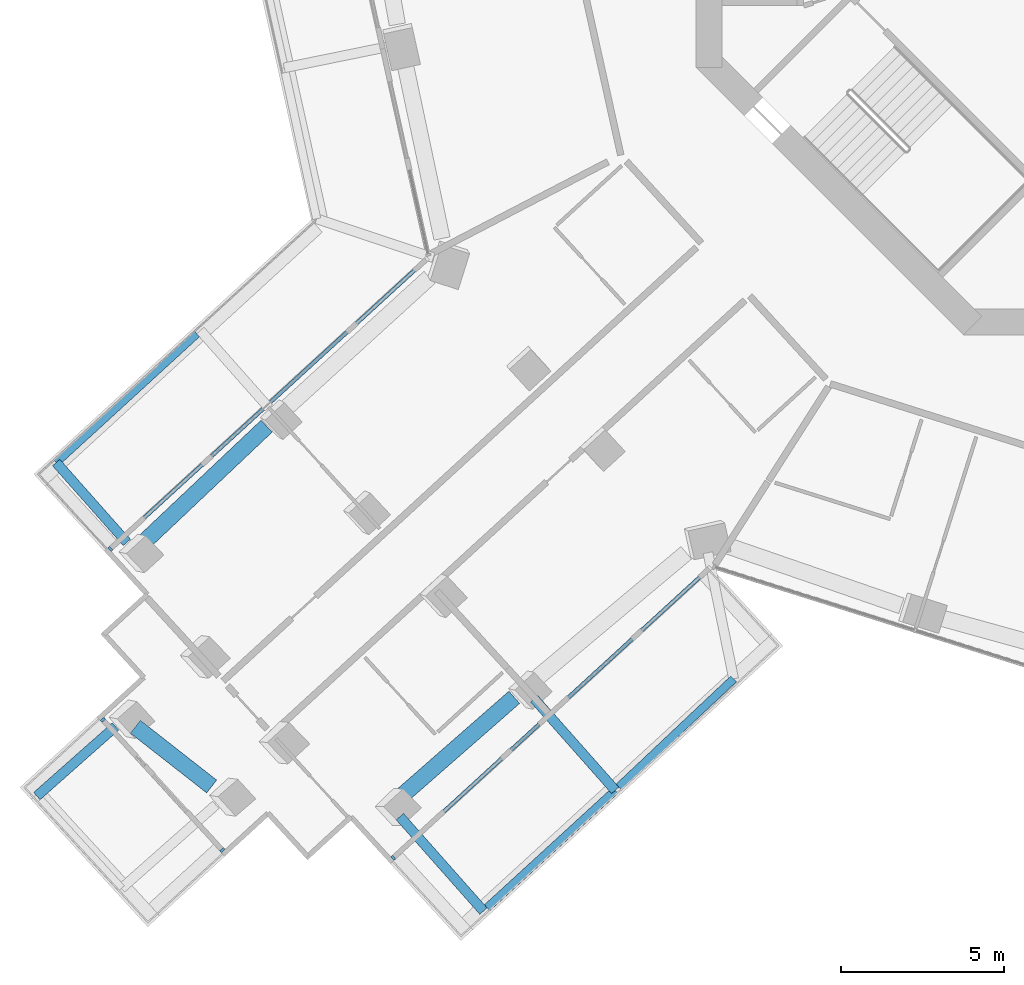
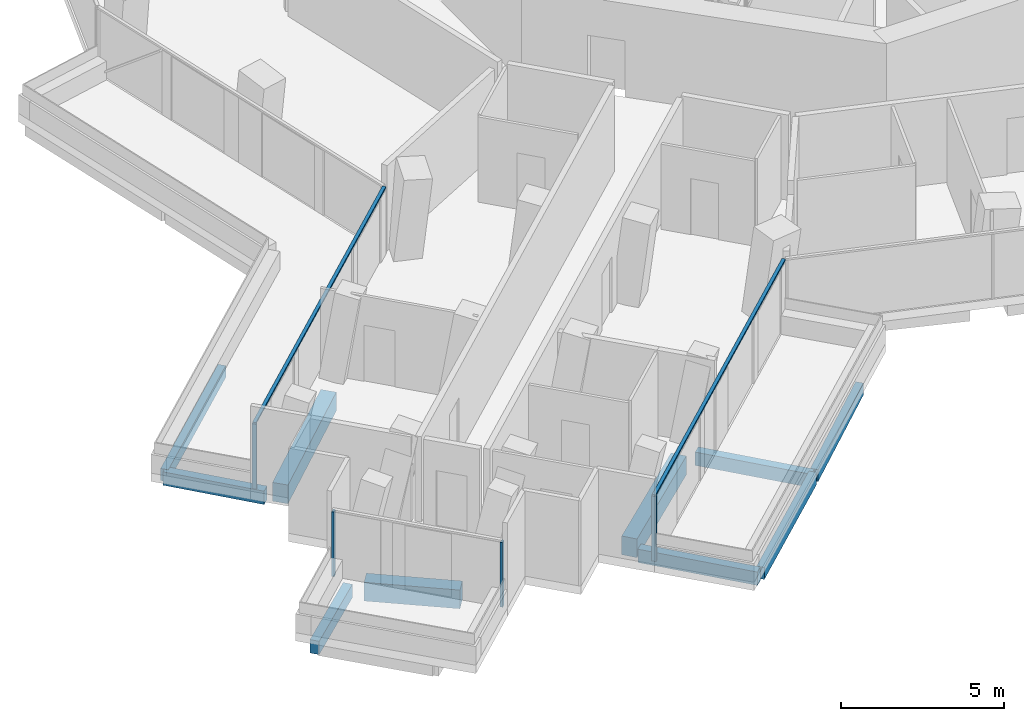
# One storey, part 2 of 24: 10 beams, 6 members, 3 elements without a shape of their own.
"""IFC4 building model written with IfcOpenShell, lengths in metres."""

from ifc_helpers import new_model, si_unit, direction, frame, origin, origin_2d, place, context, subcontext, project, spatial, rectangle, extrude, material, layer, layer_set, material_profile, profile_set, type_object, element, aggregate, save


model = new_model("IFC4")

# Units and contexts
model_context = context("Model", 3, precision=1e-05, world=origin(), true_north=direction((0.0, 1.0)))
body_context = subcontext(model_context, "Body", "Model", "MODEL_VIEW")
ifc_project = project(units=[si_unit("LENGTHUNIT", "METRE"), si_unit("AREAUNIT", "SQUARE_METRE"), si_unit("VOLUMEUNIT", "CUBIC_METRE"), si_unit("PLANEANGLEUNIT", "RADIAN"), si_unit("MASSUNIT", "GRAM", prefix="KILO")], contexts=[model_context])

# Site, building, storey
site_placement = place(None, origin())
site = spatial("IfcSite", under=ifc_project, at=site_placement, CompositionType="ELEMENT")
building_placement = place(site_placement, origin())
building = spatial("IfcBuilding", under=site, at=building_placement, Name="Verdalira Terraces Hotel", CompositionType="ELEMENT")
storey_placement = place(building_placement, frame((0.0, 0.0, 86.0)))
storey = spatial("IfcBuildingStorey", under=building, at=storey_placement, Name="L19", CompositionType="ELEMENT", Elevation=86.0)

# Beams
ifc_material_1 = material(Name="Concrete C40", Category="concrete")
ifc_material_profile_1 = material_profile(ifc_material_1, rectangle(XDim=0.300049, YDim=0.5, at=origin_2d()), Name="RC 300X500")
ifc_profile_set_1 = profile_set([ifc_material_profile_1], Name="Concrete C40")
beam_type_1 = type_object("IfcBeamType", Name="Balcony cantilever beam RC 300X500 C40", PredefinedType="BEAM", material=ifc_profile_set_1)
beam_1_placement = place(storey_placement, frame((-31.461426, -20.363281, -0.560059), z_axis=(-0.662857208, 0.748745832, 0.0), x_axis=(-0.748745832, -0.662857208, 0.0)))
element("IfcBeam", 1, at=beam_1_placement, inside=storey, type_object=beam_type_1, Name="Balcony cantilever beam R13-2", PredefinedType="BEAM", context=body_context, shape_type="SweptSolid", body=[
    extrude(rectangle(XDim=0.300049, YDim=0.5, at=origin_2d()), origin(), (0.0, 0.0, 1.0), 3.271729),
])
beam_2_placement = place(storey_placement, frame((-31.809814, -26.01001, -0.560059), z_axis=(-0.748728932, -0.662876298, 0.0), x_axis=(0.662876298, -0.748728932, 0.0)))
element("IfcBeam", 2, at=beam_2_placement, inside=storey, type_object=beam_type_1, Name="Balcony cantilever beam R19-1", PredefinedType="BEAM", context=body_context, shape_type="SweptSolid", body=[
    extrude(rectangle(XDim=0.300049, YDim=0.5, at=origin_2d()), origin(), (0.0, 0.0, 1.0), 3.221924),
])
beam_3_placement = place(storey_placement, frame((-23.08667, -28.775879, -0.560059), z_axis=(0.662862468, -0.748741176, 0.0), x_axis=(0.748741176, 0.662862468, 0.0)))
element("IfcBeam", 3, at=beam_3_placement, inside=storey, type_object=beam_type_1, Name="Balcony cantilever beam R24-1", PredefinedType="BEAM", context=body_context, shape_type="SweptSolid", body=[
    extrude(rectangle(XDim=0.300049, YDim=0.5, at=origin_2d()), origin(), (0.0, 0.0, 1.0), 3.869141),
])
beam_4_placement = place(storey_placement, frame((-18.966797, -25.160889, -0.560059), z_axis=(0.662868584, -0.748735761, 0.0), x_axis=(0.748735761, 0.662868584, 0.0)))
element("IfcBeam", 4, at=beam_4_placement, inside=storey, type_object=beam_type_1, Name="Balcony cantilever beam R24-2", PredefinedType="BEAM", context=body_context, shape_type="SweptSolid", body=[
    extrude(rectangle(XDim=0.300049, YDim=0.5, at=origin_2d()), origin(), (0.0, 0.0, 1.0), 3.753174),
])
ifc_material_2 = material(Name="Concrete C40", Category="concrete")
ifc_material_profile_2 = material_profile(ifc_material_2, rectangle(XDim=0.25, YDim=0.449951, at=origin_2d()), Name="RC 250X450")
ifc_profile_set_2 = profile_set([ifc_material_profile_2], Name="Concrete C40")
beam_type_2 = type_object("IfcBeamType", Name="Balcony edge beam RC 250X450 C40", PredefinedType="BEAM", material=ifc_profile_set_2)
beam_5_placement = place(storey_placement, frame((-29.316895, -13.964111, -0.534912), z_axis=(-0.737523126, -0.675321878, 0.0), x_axis=(0.675321878, -0.737523126, 0.0)))
element("IfcBeam", 5, at=beam_5_placement, inside=storey, type_object=beam_type_2, Name="Balcony edge beam R13-1", PredefinedType="BEAM", context=body_context, shape_type="SweptSolid", body=[
    extrude(rectangle(XDim=0.25, YDim=0.449951, at=origin_2d()), origin(), (0.0, 0.0, 1.0), 5.848389),
])
beam_6_placement = place(storey_placement, frame((-20.411377, -31.571533, -0.534912), z_axis=(0.737536065, 0.675307747, 0.0), x_axis=(-0.675307747, 0.737536065, 0.0)))
element("IfcBeam", 6, at=beam_6_placement, inside=storey, type_object=beam_type_2, Name="Balcony edge beam R24-1", PredefinedType="BEAM", context=body_context, shape_type="SweptSolid", body=[
    extrude(rectangle(XDim=0.25, YDim=0.449951, at=origin_2d()), origin(), (0.0, 0.0, 1.0), 5.331787),
])
beam_7_placement = place(storey_placement, frame((-16.369873, -27.86792, -0.534912), z_axis=(0.727731834, 0.685861778, 0.0), x_axis=(-0.685861778, 0.727731834, 0.0)))
element("IfcBeam", 7, at=beam_7_placement, inside=storey, type_object=beam_type_2, Name="Balcony edge beam R24-2", PredefinedType="BEAM", context=body_context, shape_type="SweptSolid", body=[
    extrude(rectangle(XDim=0.25, YDim=0.449951, at=origin_2d()), origin(), (0.0, 0.0, 1.0), 4.8396),
])

# Curtain wall, member
ifc_material_3 = material(Name="Clear glass", Category="glass")
ifc_layer_1 = layer(ifc_material_3, 0.14990234375)
ifc_layer_set_1 = layer_set([ifc_layer_1], Name="CW2 curtain wall")
curtain_wall_type_1 = type_object("IfcCurtainWallType", Name="CW2 curtain wall", PredefinedType="NOTDEFINED", material=ifc_layer_set_1)
curtain_wall_1_placement = place(storey_placement, origin())
curtain_wall_1 = element("IfcCurtainWall", 8, at=curtain_wall_1_placement, inside=storey, type_object=curtain_wall_type_1, Name="CW2 curtain wall L19 edge 14", PredefinedType="NOTDEFINED")
ifc_material_4 = material(Name="Terracotta frame", Category="masonry")
ifc_material_profile_3 = material_profile(ifc_material_4, rectangle(XDim=0.070068, YDim=0.149902, at=origin_2d()), Name="MU 70x150")
ifc_profile_set_3 = profile_set([ifc_material_profile_3], Name="Terracotta frame")
member_type_1 = type_object("IfcMemberType", Name="CW2 mullion 70x150", PredefinedType="MULLION", material=ifc_profile_set_3)
member_1_placement = place(storey_placement, frame((-31.967773, -20.560791, 0.0), z_axis=(0.0, 0.0, 1.0), x_axis=(-0.737513117, -0.675332808, 0.0)))
member_1 = element("IfcMember", 9, at=member_1_placement, type_object=member_type_1, Name="CW2 mullion", PredefinedType="MULLION", context=body_context, shape_type="SweptSolid", body=[
    extrude(rectangle(XDim=0.070068, YDim=0.149902, at=origin_2d()), origin(), (0.0, 0.0, 1.0), 2.425049),
])

curtain_wall_2_placement = place(storey_placement, origin())
curtain_wall_2 = element("IfcCurtainWall", 10, at=curtain_wall_2_placement, inside=storey, type_object=curtain_wall_type_1, Name="CW2 curtain wall L19 edge 24", PredefinedType="NOTDEFINED")
member_2_placement = place(storey_placement, frame((-23.289795, -30.037842, 0.0), z_axis=(0.0, 0.0, 1.0), x_axis=(0.737513117, 0.675332808, 0.0)))
member_2 = element("IfcMember", 11, at=member_2_placement, type_object=member_type_1, Name="CW2 mullion", PredefinedType="MULLION", context=body_context, shape_type="SweptSolid", body=[
    extrude(rectangle(XDim=0.070068, YDim=0.149902, at=origin_2d()), origin(), (0.0, 0.0, 1.0), 2.425049),
])

# Member
ifc_material_5 = material(Name="Terracotta frame", Category="masonry")
ifc_material_profile_4 = material_profile(ifc_material_5, rectangle(XDim=0.11499, YDim=0.064941, at=origin_2d()), Name="TR 65x115")
ifc_profile_set_4 = profile_set([ifc_material_profile_4], Name="Terracotta frame")
member_type_2 = type_object("IfcMemberType", Name="CW2 transom 65x115", PredefinedType="USERDEFINED", material=ifc_profile_set_4)
member_3_placement = place(storey_placement, frame((-22.229736, -11.644043, 2.45752), z_axis=(-0.737523761, -0.675321184, 0.0), x_axis=(0.675321184, -0.737523761, 0.0)))
member_3 = element("IfcMember", 12, at=member_3_placement, type_object=member_type_2, Name="CW2 transom", ObjectType="TRANSOM", PredefinedType="USERDEFINED", context=body_context, shape_type="SweptSolid", body=[
    extrude(rectangle(XDim=0.11499, YDim=0.064941, at=origin_2d()), origin(), (0.0, 0.0, 1.0), 13.23877),
])

aggregate(curtain_wall_1, [member_1, member_3])

member_4_placement = place(storey_placement, frame((-23.31543, -30.061523, 2.45752), z_axis=(0.737506165, 0.6753404, 0.0), x_axis=(-0.6753404, 0.737506165, 0.0)))
member_4 = element("IfcMember", 13, at=member_4_placement, type_object=member_type_2, Name="CW2 transom", ObjectType="TRANSOM", PredefinedType="USERDEFINED", context=body_context, shape_type="SweptSolid", body=[
    extrude(rectangle(XDim=0.11499, YDim=0.064941, at=origin_2d()), origin(), (0.0, 0.0, 1.0), 13.23877),
])

aggregate(curtain_wall_2, [member_2, member_4])

# Curtain wall, members
ifc_material_6 = material(Name="Clear glass", Category="glass")
ifc_layer_2 = layer(ifc_material_6, 0.14990234375)
ifc_layer_set_2 = layer_set([ifc_layer_2], Name="CW3 curtain wall")
curtain_wall_type_2 = type_object("IfcCurtainWallType", Name="CW3 curtain wall", PredefinedType="NOTDEFINED", material=ifc_layer_set_2)
curtain_wall_3_placement = place(storey_placement, origin())
curtain_wall_3 = element("IfcCurtainWall", 14, at=curtain_wall_3_placement, inside=storey, type_object=curtain_wall_type_2, Name="CW3 curtain wall L19 edge 19", PredefinedType="NOTDEFINED")
ifc_material_7 = material(Name="Terracotta frame", Category="masonry")
ifc_material_profile_5 = material_profile(ifc_material_7, rectangle(XDim=0.080078, YDim=0.149902, at=origin_2d()), Name="MU 80x150")
ifc_profile_set_5 = profile_set([ifc_material_profile_5], Name="Terracotta frame")
member_type_3 = type_object("IfcMemberType", Name="CW3 mullion 80x150", PredefinedType="MULLION", material=ifc_profile_set_5)
member_5_placement = place(storey_placement, frame((-32.195068, -25.806152, 0.0), z_axis=(0.0, 0.0, 1.0), x_axis=(0.675332808, -0.737513117, 0.0)))
member_5 = element("IfcMember", 15, at=member_5_placement, type_object=member_type_3, Name="CW3 mullion", PredefinedType="MULLION", context=body_context, shape_type="SweptSolid", body=[
    extrude(rectangle(XDim=0.080078, YDim=0.149902, at=origin_2d()), origin(), (0.0, 0.0, 1.0), 2.425049),
])
member_6_placement = place(storey_placement, frame((-28.534668, -29.803467, 0.0), z_axis=(0.0, 0.0, 1.0), x_axis=(0.675332808, -0.737513117, 0.0)))
member_6 = element("IfcMember", 16, at=member_6_placement, type_object=member_type_3, Name="CW3 mullion", PredefinedType="MULLION", context=body_context, shape_type="SweptSolid", body=[
    extrude(rectangle(XDim=0.080078, YDim=0.149902, at=origin_2d()), origin(), (0.0, 0.0, 1.0), 2.425049),
])
aggregate(curtain_wall_3, [member_5, member_6])

# Beams
ifc_material_8 = material(Name="Concrete C70", Category="concrete")
ifc_material_profile_6 = material_profile(ifc_material_8, rectangle(XDim=0.5, YDim=0.699951, at=origin_2d()), Name="RC 500X700")
ifc_profile_set_6 = profile_set([ifc_material_profile_6], Name="Concrete C70")
beam_type_3 = type_object("IfcBeamType", Name="Spandrel beam RC 500X700 C70", PredefinedType="SPANDREL", material=ifc_profile_set_6)
beam_8_placement = place(storey_placement, frame((-27.17334, -16.798096, -0.659912), z_axis=(-0.726646654, -0.687011382, 0.0), x_axis=(0.687011382, -0.726646654, 0.0)))
element("IfcBeam", 17, at=beam_8_placement, inside=storey, type_object=beam_type_3, Name="Spandrel beam B11", PredefinedType="SPANDREL", context=body_context, shape_type="SweptSolid", body=[
    extrude(rectangle(XDim=0.5, YDim=0.699951, at=origin_2d()), origin(), (0.0, 0.0, 1.0), 5.192627),
])
beam_9_placement = place(storey_placement, frame((-31.199707, -26.018311, -0.659912), z_axis=(0.787340336, -0.616518609, 0.0), x_axis=(0.616518609, 0.787340336, 0.0)))
element("IfcBeam", 18, at=beam_9_placement, inside=storey, type_object=beam_type_3, Name="Spandrel beam B12", PredefinedType="SPANDREL", context=body_context, shape_type="SweptSolid", body=[
    extrude(rectangle(XDim=0.5, YDim=0.699951, at=origin_2d()), origin(), (0.0, 0.0, 1.0), 2.972656),
])
beam_10_placement = place(storey_placement, frame((-23.108643, -28.207275, -0.659912), z_axis=(0.752389793, 0.658718148, 0.0), x_axis=(-0.658718148, 0.752389793, 0.0)))
element("IfcBeam", 19, at=beam_10_placement, inside=storey, type_object=beam_type_3, Name="Spandrel beam B13", PredefinedType="SPANDREL", context=body_context, shape_type="SweptSolid", body=[
    extrude(rectangle(XDim=0.5, YDim=0.699951, at=origin_2d()), origin(), (0.0, 0.0, 1.0), 4.694092),
])

save(model, "model.ifc")
